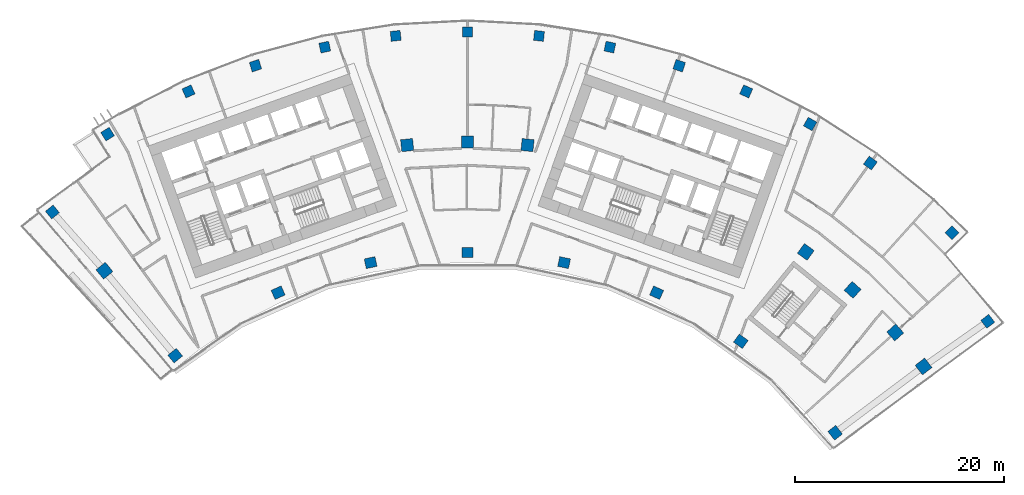
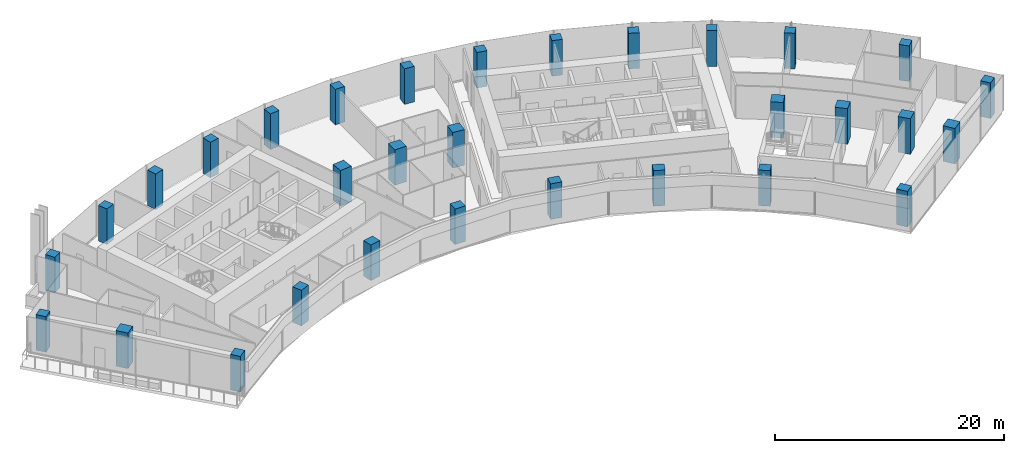
# One storey, part 1 of 18: 31 columns.
"""IFC4 building model written with IfcOpenShell, lengths in metres."""

from ifc_helpers import new_model, si_unit, direction, frame, origin, origin_2d, place, context, subcontext, project, spatial, rectangle, extrude, material, material_profile, profile_set, type_object, element, save


model = new_model("IFC4")

# Units and contexts
model_context = context("Model", 3, precision=1e-05, world=origin(), true_north=direction((0.0, 1.0)))
body_context = subcontext(model_context, "Body", "Model", "MODEL_VIEW")
ifc_project = project(units=[si_unit("LENGTHUNIT", "METRE"), si_unit("AREAUNIT", "SQUARE_METRE"), si_unit("VOLUMEUNIT", "CUBIC_METRE"), si_unit("PLANEANGLEUNIT", "RADIAN"), si_unit("MASSUNIT", "GRAM", prefix="KILO")], contexts=[model_context])

# Site, building, storey
site_placement = place(None, origin())
site = spatial("IfcSite", under=ifc_project, at=site_placement, CompositionType="ELEMENT")
building_placement = place(site_placement, origin())
building = spatial("IfcBuilding", under=site, at=building_placement, Name="Stone Belt Terrace Tower", CompositionType="ELEMENT")
storey_placement = place(building_placement, frame((0.0, 0.0, 239.0)))
storey = spatial("IfcBuildingStorey", under=building, at=storey_placement, Name="L58", CompositionType="ELEMENT", Elevation=239.0)

# Columns
ifc_material = material(Name="Concrete B60", Category="concrete")
ifc_material_profile_1 = material_profile(ifc_material, rectangle(XDim=1.050048828125, YDim=0.949951171875, at=origin_2d()), Name="RC 1050x950")
ifc_profile_set_1 = profile_set([ifc_material_profile_1], Name="Concrete B60")
column_type_1 = type_object("IfcColumnType", Name="Column RC 1050x950 B60", PredefinedType="COLUMN", material=ifc_profile_set_1)
for number, where, z_axis, x_axis, name in (
    (1, (-27.90771484375, 34.5908203125, 0.0), (0.0, 0.0, 1.0), (0.778283698988, 0.62791279959, 0.0), "Column L58 PA"),
    (2, (-18.077392578125, 40.6025390625, 0.0), (0.0, 0.0, 1.0), (0.913545457643, 0.406736643076, 0.0), "Column L58 P18"),
    (3, (-9.240478515625, 43.473876953125, 0.0), (0.0, 0.0, 1.0), (0.978147600734, 0.207911690818, 0.0), "Column L58 P20"),
    (4, (0.0, 44.445068359375, 0.0), (0.0, 0.0, 1.0), (1.0, 0.0, 0.0), "Column L58 P22"),
    (5, (9.240478515625, 43.473876953125, 0.0), (0.0, 0.0, 1.0), (0.978147600734, -0.207911690818, 0.0), "Column L58 P24"),
    (6, (18.077392578125, 40.6025390625, 0.0), (0.0, 0.0, 1.0), (0.913545457643, -0.406736643076, 0.0), "Column L58 P26"),
    (7, (26.1240234375, 35.956787109375, 0.0), (0.0, 0.0, 1.0), (0.809016994375, -0.587785252292, 0.0), "Column L58 P28"),
    (8, (35.133056640625, 27.221923828125, 0.0), (0.0, 0.0, 1.0), (0.612484967582, -0.790482235402, 0.0), "Column L58 PB"),
):
    element("IfcColumn", number, at=place(storey_placement, frame(where, z_axis=z_axis, x_axis=x_axis)), inside=storey, type_object=column_type_1, Name=name, PredefinedType="COLUMN", context=body_context, shape_type="SweptSolid", body=[
        extrude(rectangle(XDim=1.050048828125, YDim=0.949951171875, at=origin_2d()), origin(), (0.0, 0.0, 1.0), 3.800048828125),
    ])
ifc_material_profile_2 = material_profile(ifc_material, rectangle(XDim=1.14990234375, YDim=1.14990234375, at=origin_2d()), Name="RC 1150x1150")
ifc_profile_set_2 = profile_set([ifc_material_profile_2], Name="Concrete B60")
column_type_2 = type_object("IfcColumnType", Name="Column RC 1150x1150 B60", PredefinedType="COLUMN", material=ifc_profile_set_2)
for number, where, z_axis, x_axis, name in (
    (9, (-34.665283203125, 42.700439453125, 0.0), (0.0, 0.0, 1.0), (0.776371021586, 0.630276159189, 0.0), "Column L58 QA"),
    (10, (-5.7490234375, 54.69873046875, 0.0), (0.0, 0.0, 1.0), (0.994521895368, 0.104528463268, 0.0), "Column L58 Q21"),
    (11, (0.0, 55.0, 0.0), (0.0, 0.0, 1.0), (1.0, 0.0, 0.0), "Column L58 Q22"),
    (12, (5.7490234375, 54.69873046875, 0.0), (0.0, 0.0, 1.0), (0.994521895368, -0.104528463268, 0.0), "Column L58 Q23"),
    (13, (32.328125, 44.495849609375, 0.0), (0.0, 0.0, 1.0), (0.809016994375, -0.587785252292, 0.0), "Column L58 Q28"),
    (14, (36.80224609375, 40.873046875, 0.0), (0.0, 0.0, 1.0), (0.743144825477, -0.669130606359, 0.0), "Column L58 Q29"),
    (15, (40.873046875, 36.80224609375, 0.0), (0.0, 0.0, 1.0), (0.669130606359, -0.743144825477, 0.0), "Column L58 Q30"),
    (16, (43.57861328125, 33.55419921875, 0.0), (0.0, 0.0, 1.0), (0.610078787058, -0.792340755977, 0.0), "Column L58 QB"),
):
    element("IfcColumn", number, at=place(storey_placement, frame(where, z_axis=z_axis, x_axis=x_axis)), inside=storey, type_object=column_type_2, Name=name, PredefinedType="COLUMN", context=body_context, shape_type="SweptSolid", body=[
        extrude(rectangle(XDim=1.14990234375, YDim=1.14990234375, at=origin_2d()), origin(), (0.0, 0.0, 1.0), 3.800048828125),
    ])
ifc_material_profile_3 = material_profile(ifc_material, rectangle(XDim=0.949951171875, YDim=0.949951171875, at=origin_2d()), Name="RC 950x950")
ifc_profile_set_3 = profile_set([ifc_material_profile_3], Name="Concrete B60")
column_type_3 = type_object("IfcColumnType", Name="Column RC 950x950 B60", PredefinedType="COLUMN", material=ifc_profile_set_3)
for number, where, z_axis, x_axis, name in (
    (17, (-39.63623046875, 48.3095703125, 0.0), (0.0, 0.0, 1.0), (0.773091274525, 0.634294790499, 0.0), "Column L58 RA"),
    (18, (49.70947265625, 37.86572265625, 0.0), (0.0, 0.0, 1.0), (0.605960632634, -0.795494633356, 0.0), "Column L58 RB"),
    (19, (-34.365966796875, 55.74755859375, 0.0), (0.0, 0.0, 1.0), (0.851251028908, 0.524758692909, 0.0), "Column L58 RNA"),
    (20, (-26.63671875, 59.8271484375, 0.0), (0.0, 0.0, 1.0), (0.913545457643, 0.406736643076, 0.0), "Column L58 R18"),
    (21, (-20.2373046875, 62.28369140625, 0.0), (0.0, 0.0, 1.0), (0.951056516295, 0.309016994375, 0.0), "Column L58 R19"),
    (22, (-13.615966796875, 64.057861328125, 0.0), (0.0, 0.0, 1.0), (0.978147600734, 0.207911690818, 0.0), "Column L58 R20"),
    (23, (-6.845458984375, 65.130126953125, 0.0), (0.0, 0.0, 1.0), (0.994521895368, 0.104528463268, 0.0), "Column L58 R21"),
    (24, (0.0, 65.489013671875, 0.0), (0.0, 0.0, 1.0), (1.0, 0.0, 0.0), "Column L58 R22"),
    (25, (6.845458984375, 65.130126953125, 0.0), (0.0, 0.0, 1.0), (0.994521895368, -0.104528463268, 0.0), "Column L58 R23"),
    (26, (13.615966796875, 64.057861328125, 0.0), (0.0, 0.0, 1.0), (0.978147600734, -0.207911690818, 0.0), "Column L58 R24"),
    (27, (20.2373046875, 62.28369140625, 0.0), (0.0, 0.0, 1.0), (0.951056516295, -0.309016994375, 0.0), "Column L58 R25"),
    (28, (26.63671875, 59.8271484375, 0.0), (0.0, 0.0, 1.0), (0.913545457643, -0.406736643076, 0.0), "Column L58 R26"),
    (29, (32.744384765625, 56.715087890625, 0.0), (0.0, 0.0, 1.0), (0.866025403784, -0.5, 0.0), "Column L58 R27"),
    (30, (38.493408203125, 52.981689453125, 0.0), (0.0, 0.0, 1.0), (0.809016994375, -0.587785252292, 0.0), "Column L58 R28"),
    (31, (46.29638671875, 46.318603515625, 0.0), (0.0, 0.0, 1.0), (0.707275837349, -0.706937684596, 0.0), "Column L58 RNB"),
):
    element("IfcColumn", number, at=place(storey_placement, frame(where, z_axis=z_axis, x_axis=x_axis)), inside=storey, type_object=column_type_3, Name=name, PredefinedType="COLUMN", context=body_context, shape_type="SweptSolid", body=[
        extrude(rectangle(XDim=0.949951171875, YDim=0.949951171875, at=origin_2d()), origin(), (0.0, 0.0, 1.0), 3.800048828125),
    ])

save(model, "model.ifc")
